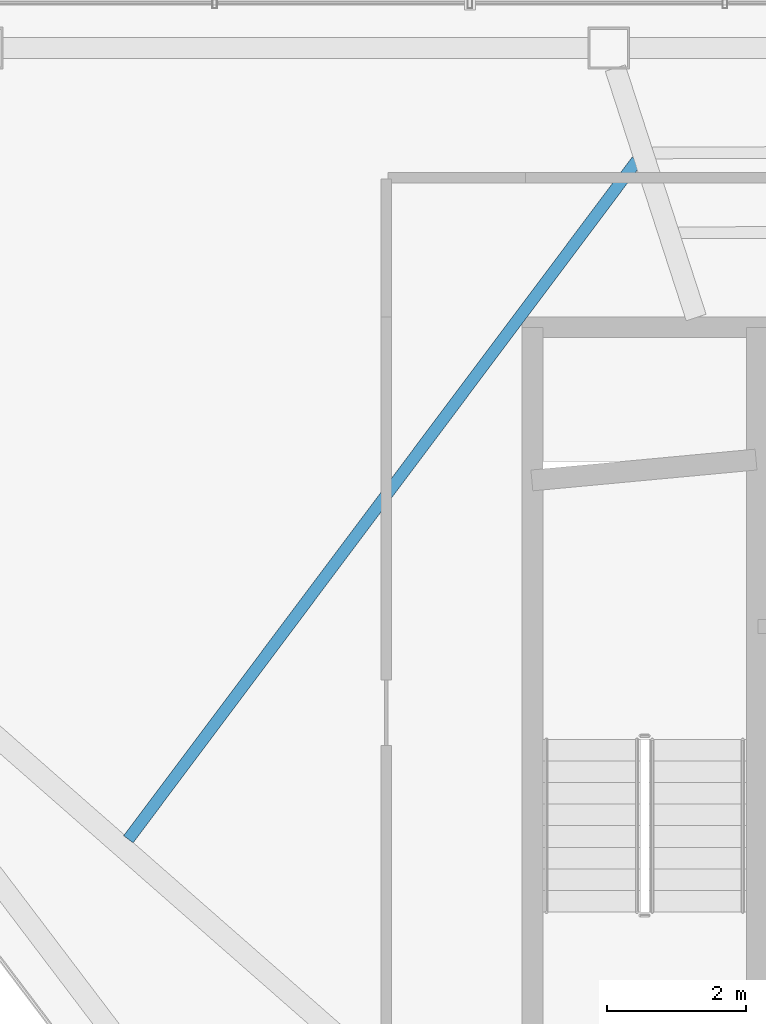
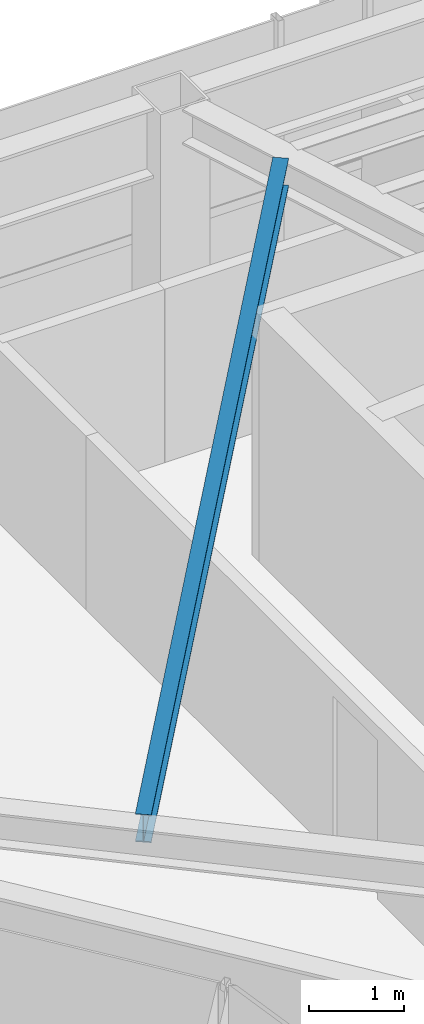
# One storey, part 9 of 25: 1 beam.
"""IFC4 building model written with IfcOpenShell, lengths in metres."""

from ifc_helpers import new_model, si_unit, direction, frame, origin, origin_2d, place, context, subcontext, project, spatial, i_section, extrude, material, material_profile, profile_set, type_object, element, save


model = new_model("IFC4")

# Units and contexts
model_context = context("Model", 3, precision=1e-05, world=origin(), true_north=direction((0.0, 1.0)))
body_context = subcontext(model_context, "Body", "Model", "MODEL_VIEW")
ifc_project = project(units=[si_unit("LENGTHUNIT", "METRE"), si_unit("AREAUNIT", "SQUARE_METRE"), si_unit("VOLUMEUNIT", "CUBIC_METRE"), si_unit("PLANEANGLEUNIT", "RADIAN"), si_unit("MASSUNIT", "GRAM", prefix="KILO")], contexts=[model_context])

# Site, building, storey
site_placement = place(None, origin())
site = spatial("IfcSite", under=ifc_project, at=site_placement, CompositionType="ELEMENT")
building_placement = place(site_placement, origin())
building = spatial("IfcBuilding", under=site, at=building_placement, Name="Zarrinselat Tower", CompositionType="ELEMENT")
storey_placement = place(building_placement, frame((0.0, 0.0, 239.360107421875)))
storey = spatial("IfcBuildingStorey", under=building, at=storey_placement, Name="L60", CompositionType="ELEMENT", Elevation=239.360107421875)

# Beam
ifc_material = material(Name="Steel S355J2", Category="steel")
ifc_material_profile = material_profile(ifc_material, i_section(OverallWidth=0.169921875, OverallDepth=0.360107421875, WebThickness=0.008056640625, FlangeThickness=0.0126953125, at=origin_2d()), Name="IPE 360")
ifc_profile_set = profile_set([ifc_material_profile], Name="Steel S355J2")
beam_type = type_object("IfcBeamType", Name="BM-IPE360", PredefinedType="JOIST", material=ifc_profile_set)
beam_placement = place(storey_placement, frame((22.84326171875, 36.044677734375, 3.0), z_axis=(0.599685711425, 0.800235619998, 0.0), x_axis=(-0.800235619998, 0.599685711425, 0.0)))
element("IfcBeam", 1, at=beam_placement, inside=storey, type_object=beam_type, Name="L60 Composite Floor Joist 9-1", PredefinedType="JOIST", context=body_context, shape_type="SweptSolid", body=[
    extrude(i_section(OverallWidth=0.169921875, OverallDepth=0.360107421875, WebThickness=0.008056640625, FlangeThickness=0.0126953125, at=origin_2d()), origin(), (0.0, 0.0, 1.0), 12.18212890625),
])

save(model, "model.ifc")
